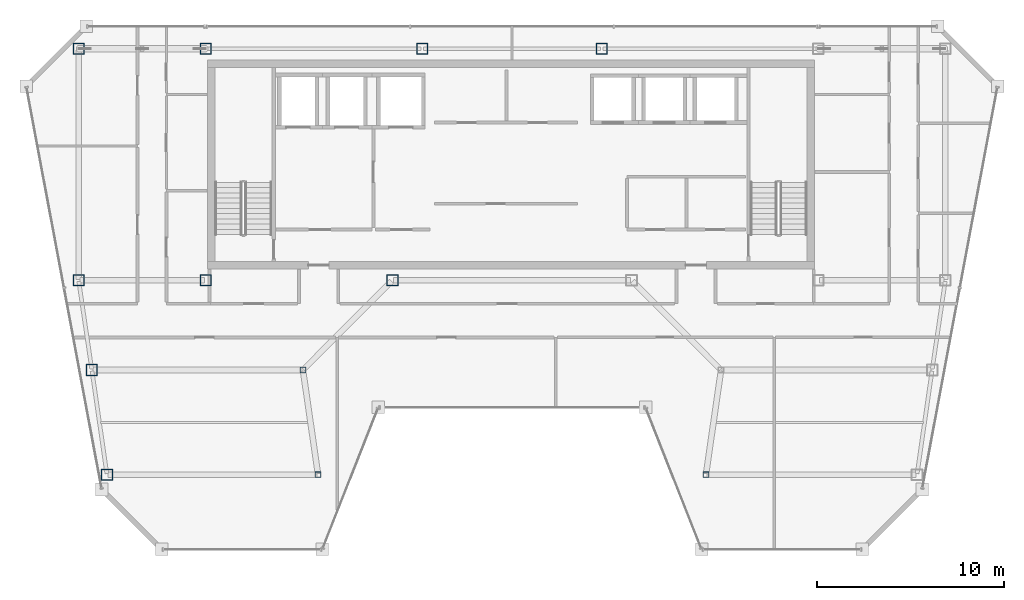
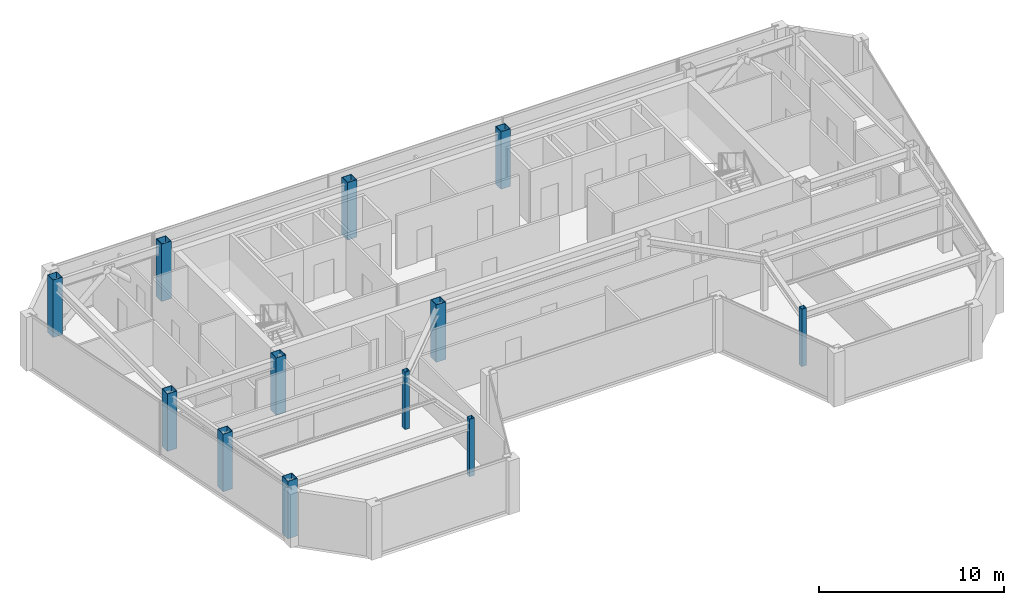
# One storey, part 1 of 22: 12 columns.
"""IFC4 building model written with IfcOpenShell, lengths in metres."""

from ifc_helpers import new_model, si_unit, direction, frame, origin, origin_2d, place, context, subcontext, project, spatial, hollow_rectangle, extrude, material, material_profile, profile_set, type_object, element, save


model = new_model("IFC4")

# Units and contexts
model_context = context("Model", 3, precision=1e-05, world=origin(), true_north=direction((0.0, 1.0)))
body_context = subcontext(model_context, "Body", "Model", "MODEL_VIEW")
ifc_project = project(units=[si_unit("LENGTHUNIT", "METRE"), si_unit("AREAUNIT", "SQUARE_METRE"), si_unit("VOLUMEUNIT", "CUBIC_METRE"), si_unit("PLANEANGLEUNIT", "RADIAN"), si_unit("MASSUNIT", "GRAM", prefix="KILO")], contexts=[model_context])

# Site, building, storey
site_placement = place(None, origin())
site = spatial("IfcSite", under=ifc_project, at=site_placement, CompositionType="ELEMENT")
building_placement = place(site_placement, origin())
building = spatial("IfcBuilding", under=site, at=building_placement, Name="Saevonmaru Cultural Tower", CompositionType="ELEMENT")
storey_placement = place(building_placement, frame((0.0, 0.0, 287.60009765625)))
storey = spatial("IfcBuildingStorey", under=building, at=storey_placement, Name="L68", CompositionType="ELEMENT", Elevation=287.60009765625)

# Columns
ifc_material = material(Name="Steel SM355", Category="steel")
ifc_material_profile_1 = material_profile(ifc_material, hollow_rectangle(XDim=0.60009765625, YDim=0.60009765625, WallThickness=0.028076171875, at=origin_2d()), Name="BOX-600x600x28")
ifc_profile_set_1 = profile_set([ifc_material_profile_1], Name="Steel SM355")
column_type_1 = type_object("IfcColumnType", Name="COL-BOX-600", PredefinedType="COLUMN", material=ifc_profile_set_1)
for number, where, z_axis, x_axis, name in (
    (1, (6.800048828125, 54.800048828125, 0.0), (0.0, 0.0, 1.0), (1.0, 0.0, 0.0), "L68 Column TC-N1N"),
    (2, (13.60009765625, 54.800048828125, 0.0), (0.0, 0.0, 1.0), (1.0, 0.0, 0.0), "L68 Column TC-N2N"),
    (3, (25.199951171875, 54.800048828125, 0.0), (0.0, 0.0, 1.0), (1.0, 0.0, 0.0), "L68 Column TC-N3N"),
    (4, (34.800048828125, 54.800048828125, 0.0), (0.0, 0.0, 1.0), (1.0, 0.0, 0.0), "L68 Column TC-N4N"),
    (5, (6.800048828125, 42.39990234375, 0.0), (0.0, 0.0, 1.0), (1.0, 0.0, 0.0), "L68 Column TC-S1C"),
    (6, (13.60009765625, 42.39990234375, 0.0), (0.0, 0.0, 1.0), (1.0, 0.0, 0.0), "L68 Column TC-S2C"),
    (7, (23.60009765625, 42.39990234375, 0.0), (0.0, 0.0, 1.0), (1.0, 0.0, 0.0), "L68 Column TC-S3C"),
    (8, (8.31689453125, 32.0, 0.0), (0.0, 0.0, 1.0), (1.0, 0.0, 0.0), "L68 Column TC-WO-Y320"),
    (9, (7.508056640625, 37.60009765625, 0.0), (0.0, 0.0, 1.0), (1.0, 0.0, 0.0), "L68 Column TC-WO-Y376"),
):
    element("IfcColumn", number, at=place(storey_placement, frame(where, z_axis=z_axis, x_axis=x_axis)), inside=storey, type_object=column_type_1, Name=name, PredefinedType="COLUMN", context=body_context, shape_type="SweptSolid", body=[
        extrude(hollow_rectangle(XDim=0.60009765625, YDim=0.60009765625, WallThickness=0.028076171875, at=origin_2d()), origin(), (0.0, 0.0, 1.0), 3.7998046875),
    ])
ifc_material_profile_2 = material_profile(ifc_material, hollow_rectangle(XDim=0.300048828125, YDim=0.300048828125, WallThickness=0.011962890625, at=origin_2d()), Name="SHS-300x300x12")
ifc_profile_set_2 = profile_set([ifc_material_profile_2], Name="Steel SM355")
column_type_2 = type_object("IfcColumnType", Name="COL-SHS-300", PredefinedType="COLUMN", material=ifc_profile_set_2)
for number, where, z_axis, x_axis, name in (
    (10, (19.616943359375, 32.0, 0.0), (0.0, 0.0, 1.0), (1.0, 0.0, 0.0), "L68 Column TC-WI-Y320"),
    (11, (40.383056640625, 32.0, 0.0), (0.0, 0.0, 1.0), (1.0, 0.0, 0.0), "L68 Column TC-EI-Y320"),
    (12, (18.80810546875, 37.60009765625, 0.0), (0.0, 0.0, 1.0), (1.0, 0.0, 0.0), "L68 Column TC-WI-Y376"),
):
    element("IfcColumn", number, at=place(storey_placement, frame(where, z_axis=z_axis, x_axis=x_axis)), inside=storey, type_object=column_type_2, Name=name, PredefinedType="COLUMN", context=body_context, shape_type="SweptSolid", body=[
        extrude(hollow_rectangle(XDim=0.300048828125, YDim=0.300048828125, WallThickness=0.011962890625, at=origin_2d()), origin(), (0.0, 0.0, 1.0), 3.7998046875),
    ])

save(model, "model.ifc")
